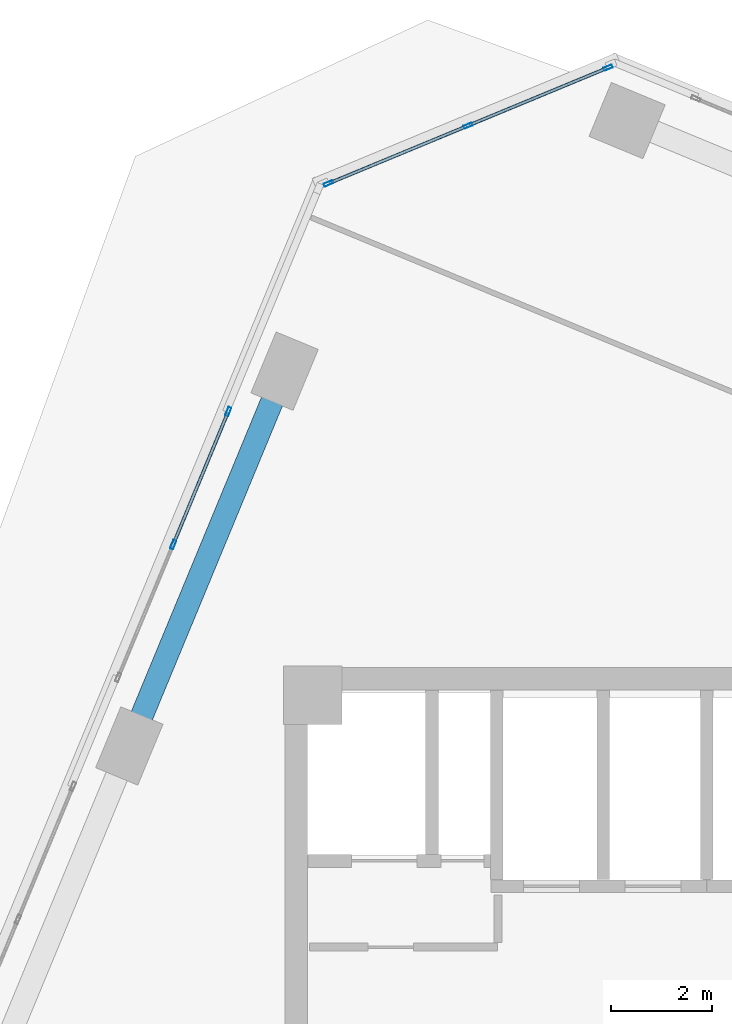
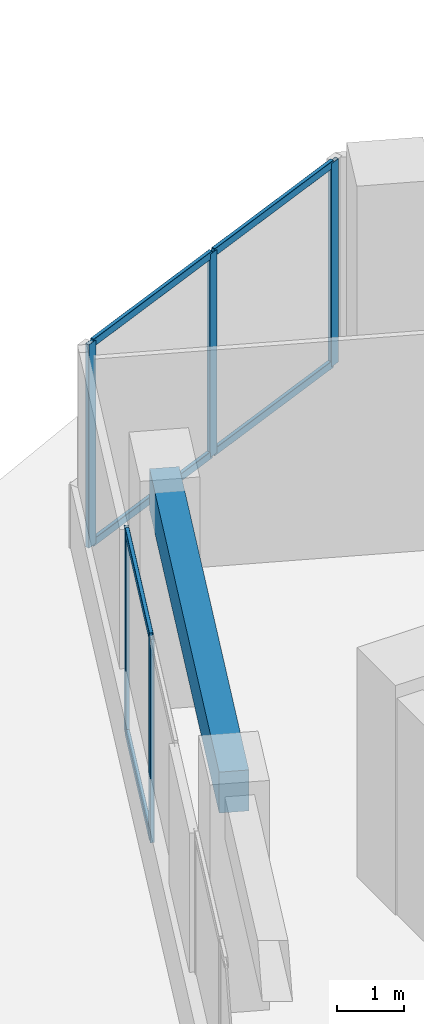
# One storey, part 13 of 24: 11 members, 1 beam, 2 elements without a shape of their own.
"""IFC4 building model written with IfcOpenShell, lengths in metres."""

from ifc_helpers import new_model, si_unit, direction, frame, origin, origin_2d, place, context, subcontext, project, spatial, rectangle, hollow_rectangle, extrude, source, transform, mapped, material, material_profile, profile_set, type_object, element, aggregate, save


model = new_model("IFC4")

# Units and contexts
model_context = context("Model", 3, precision=1e-05, world=origin(), true_north=direction((0.0, 1.0)))
body_context = subcontext(model_context, "Body", "Model", "MODEL_VIEW")
ifc_project = project(units=[si_unit("LENGTHUNIT", "METRE"), si_unit("AREAUNIT", "SQUARE_METRE"), si_unit("VOLUMEUNIT", "CUBIC_METRE"), si_unit("PLANEANGLEUNIT", "RADIAN"), si_unit("MASSUNIT", "GRAM", prefix="KILO")], contexts=[model_context])

# Site, building, storey
site_placement = place(None, origin())
site = spatial("IfcSite", under=ifc_project, at=site_placement, CompositionType="ELEMENT")
building_placement = place(site_placement, origin())
building = spatial("IfcBuilding", under=site, at=building_placement, Name="Torre Montelarca", CompositionType="ELEMENT")
storey_placement = place(building_placement, frame((0.0, 0.0, 141.39990234375)))
storey = spatial("IfcBuildingStorey", under=building, at=storey_placement, Name="L31", CompositionType="ELEMENT", Elevation=141.39990234375)

# Beam
ifc_material_1 = material(Name="Concrete C55/67", Category="concrete")
ifc_material_profile_1 = material_profile(ifc_material_1, rectangle(XDim=0.449951171875, YDim=0.75, at=origin_2d()), Name="RCB450X750", Category="concrete")
ifc_profile_set_1 = profile_set([ifc_material_profile_1], Name="Concrete C55/67")
beam_type = type_object("IfcBeamType", Name="BM-SP-RC750-EXT", PredefinedType="SPANDREL", material=ifc_profile_set_1)
shared_shape_1 = source(origin(), body_context, "Body", "SweptSolid", [
    extrude(rectangle(XDim=0.449951171875, YDim=0.75, at=origin_2d()), origin(), (0.0, 0.0, 1.0), 8.0),
])
beam_placement = place(storey_placement, frame((5.9326171875, 38.4482421875, 3.585205078125), z_axis=(0.382686001036, 0.923878468529, 0.0), x_axis=(-0.923878468529, 0.382686001036, 0.0)))
element("IfcBeam", 1, at=beam_placement, inside=storey, type_object=beam_type, Name="L31 Grid Girder Y 32.0-40.0 at X=4.7", PredefinedType="SPANDREL", context=body_context, shape_type="MappedRepresentation", body=[
    mapped(shared_shape_1, transform((0.0, 0.0, 0.0), scale=1.0)),
])

# Curtain wall, members
ifc_material_2 = material(Name="Insulated low-E laminated glass", Category="glass")
curtain_wall_type = type_object("IfcCurtainWallType", Name="CW-SYS-Z2", PredefinedType="USERDEFINED", material=ifc_material_2)
curtain_wall_1_placement = place(storey_placement, origin())
curtain_wall_1 = element("IfcCurtainWall", 2, at=curtain_wall_1_placement, inside=storey, type_object=curtain_wall_type, Name="L31 Curtain Wall Run CW-T3-L31-E09-B1", ObjectType="UNITISED GLAZING", PredefinedType="USERDEFINED")
ifc_material_3 = material(Name="Anodised aluminium AA 6063-T6", Category="aluminium")
ifc_material_profile_2 = material_profile(ifc_material_3, hollow_rectangle(XDim=0.06494140625, YDim=0.139892578125, WallThickness=0.00390625, InnerFilletRadius=0.00390625, OuterFilletRadius=0.008056640625, at=origin_2d()), Name="ALU65X140X4", Category="aluminium")
ifc_profile_set_2 = profile_set([ifc_material_profile_2], Name="Anodised aluminium AA 6063-T6")
member_type_1 = type_object("IfcMemberType", Name="CWT-ALU140", PredefinedType="USERDEFINED", material=ifc_profile_set_2)
shared_shape_2 = source(origin(), body_context, "Body", "SweptSolid", [
    extrude(hollow_rectangle(XDim=0.06494140625, YDim=0.139892578125, WallThickness=0.00390625, InnerFilletRadius=0.00390625, OuterFilletRadius=0.008056640625, at=origin_2d()), origin(), (0.0, 0.0, 1.0), 2.918701171875),
])
member_1_placement = place(storey_placement, frame((15.3408203125, 51.809814453125, 0.03271484375), z_axis=(-0.92387920118, -0.382684232268, 0.0), x_axis=(0.382684232268, -0.92387920118, 0.0)))
member_1 = element("IfcMember", 3, at=member_1_placement, type_object=member_type_1, Name="CW transom 1.1", ObjectType="TRANSOM", PredefinedType="USERDEFINED", context=body_context, shape_type="MappedRepresentation", body=[
    mapped(shared_shape_2, transform((0.0, 0.0, 0.0), scale=1.0)),
])
member_2_placement = place(storey_placement, frame((15.3408203125, 51.809814453125, 3.6875), z_axis=(-0.92387920118, -0.382684232268, 0.0), x_axis=(0.382684232268, -0.92387920118, 0.0)))
member_2 = element("IfcMember", 4, at=member_2_placement, type_object=member_type_1, Name="CW transom 1.2", ObjectType="TRANSOM", PredefinedType="USERDEFINED", context=body_context, shape_type="MappedRepresentation", body=[
    mapped(shared_shape_2, transform((0.0, 0.0, 0.0), scale=1.0)),
])
member_3_placement = place(storey_placement, frame((12.584228515625, 50.66796875, 0.03271484375), z_axis=(-0.923908773038, -0.382612831859, 0.0), x_axis=(0.382612831859, -0.923908773038, 0.0)))
member_3 = element("IfcMember", 5, at=member_3_placement, type_object=member_type_1, Name="CW transom 2.1", ObjectType="TRANSOM", PredefinedType="USERDEFINED", context=body_context, shape_type="MappedRepresentation", body=[
    mapped(shared_shape_2, transform((0.0, 0.0, 0.0), scale=1.0)),
])
member_4_placement = place(storey_placement, frame((12.584228515625, 50.66796875, 3.6875), z_axis=(-0.923908773038, -0.382612831859, 0.0), x_axis=(0.382612831859, -0.923908773038, 0.0)))
member_4 = element("IfcMember", 6, at=member_4_placement, type_object=member_type_1, Name="CW transom 2.2", ObjectType="TRANSOM", PredefinedType="USERDEFINED", context=body_context, shape_type="MappedRepresentation", body=[
    mapped(shared_shape_2, transform((0.0, 0.0, 0.0), scale=1.0)),
])

curtain_wall_2_placement = place(storey_placement, origin())
curtain_wall_2 = element("IfcCurtainWall", 7, at=curtain_wall_2_placement, inside=storey, type_object=curtain_wall_type, Name="L31 Curtain Wall Run CW-T3-L31-E10-B1", ObjectType="UNITISED GLAZING", PredefinedType="USERDEFINED")
shared_shape_3 = source(origin(), body_context, "Body", "SweptSolid", [
    extrude(hollow_rectangle(XDim=0.06494140625, YDim=0.139892578125, WallThickness=0.00390625, InnerFilletRadius=0.00390625, OuterFilletRadius=0.008056640625, at=origin_2d()), origin(), (0.0, 0.0, 1.0), 2.7724609375),
])
member_5_placement = place(storey_placement, frame((7.87158203125, 45.0107421875, 0.03271484375), z_axis=(-0.382688791535, -0.923877312652, 0.0), x_axis=(0.923877312652, -0.382688791535, 0.0)))
member_5 = element("IfcMember", 8, at=member_5_placement, type_object=member_type_1, Name="CW transom 1.1", ObjectType="TRANSOM", PredefinedType="USERDEFINED", context=body_context, shape_type="MappedRepresentation", body=[
    mapped(shared_shape_3, transform((0.0, 0.0, 0.0), scale=1.0)),
])
member_6_placement = place(storey_placement, frame((7.87158203125, 45.0107421875, 3.6875), z_axis=(-0.382688791535, -0.923877312652, 0.0), x_axis=(0.923877312652, -0.382688791535, 0.0)))
member_6 = element("IfcMember", 9, at=member_6_placement, type_object=member_type_1, Name="CW transom 1.2", ObjectType="TRANSOM", PredefinedType="USERDEFINED", context=body_context, shape_type="MappedRepresentation", body=[
    mapped(shared_shape_3, transform((0.0, 0.0, 0.0), scale=1.0)),
])

# Member
ifc_material_profile_3 = material_profile(ifc_material_3, hollow_rectangle(XDim=0.06494140625, YDim=0.179931640625, WallThickness=0.00390625, InnerFilletRadius=0.00390625, OuterFilletRadius=0.008056640625, at=origin_2d()), Name="ALU65X180X4", Category="aluminium")
ifc_profile_set_3 = profile_set([ifc_material_profile_3], Name="Anodised aluminium AA 6063-T6")
member_type_2 = type_object("IfcMemberType", Name="CWM-ALU180", PredefinedType="MULLION", material=ifc_profile_set_3)
shared_shape_4 = source(origin(), body_context, "Body", "SweptSolid", [
    extrude(hollow_rectangle(XDim=0.06494140625, YDim=0.179931640625, WallThickness=0.00390625, InnerFilletRadius=0.00390625, OuterFilletRadius=0.008056640625, at=origin_2d()), origin(), (0.0, 0.0, 1.0), 3.72021484375),
])
member_7_placement = place(storey_placement, frame((15.370849609375, 51.822265625, 0.0), z_axis=(0.0, 0.0, 1.0), x_axis=(0.38267584742, -0.923882674262, 0.0)))
member_7 = element("IfcMember", 10, at=member_7_placement, type_object=member_type_2, Name="CW mullion 1", PredefinedType="MULLION", context=body_context, shape_type="MappedRepresentation", body=[
    mapped(shared_shape_4, transform((0.0, 0.0, 0.0), scale=1.0)),
])

member_8_placement = place(storey_placement, frame((12.6142578125, 50.680419921875, 0.0), z_axis=(0.0, 0.0, 1.0), x_axis=(0.38267584742, -0.923882674262, 0.0)))
member_8 = element("IfcMember", 11, at=member_8_placement, type_object=member_type_2, Name="CW mullion 2", PredefinedType="MULLION", context=body_context, shape_type="MappedRepresentation", body=[
    mapped(shared_shape_4, transform((0.0, 0.0, 0.0), scale=1.0)),
])

member_9_placement = place(storey_placement, frame((9.857666015625, 49.538818359375, 0.0), z_axis=(0.0, 0.0, 1.0), x_axis=(0.38267584742, -0.923882674262, 0.0)))
member_9 = element("IfcMember", 12, at=member_9_placement, type_object=member_type_2, Name="CW mullion 3", PredefinedType="MULLION", context=body_context, shape_type="MappedRepresentation", body=[
    mapped(shared_shape_4, transform((0.0, 0.0, 0.0), scale=1.0)),
])

aggregate(curtain_wall_1, [member_7, member_8, member_9, member_1, member_2, member_3, member_4])

member_10_placement = place(storey_placement, frame((7.884033203125, 45.040771484375, 0.0), z_axis=(0.0, 0.0, 1.0), x_axis=(0.923880514481, -0.382681061672, 0.0)))
member_10 = element("IfcMember", 13, at=member_10_placement, type_object=member_type_2, Name="CW mullion 1", PredefinedType="MULLION", context=body_context, shape_type="MappedRepresentation", body=[
    mapped(shared_shape_4, transform((0.0, 0.0, 0.0), scale=1.0)),
])

member_11_placement = place(storey_placement, frame((6.798095703125, 42.419189453125, 0.0), z_axis=(0.0, 0.0, 1.0), x_axis=(0.923880514481, -0.382681061672, 0.0)))
member_11 = element("IfcMember", 14, at=member_11_placement, type_object=member_type_2, Name="CW mullion 2", PredefinedType="MULLION", context=body_context, shape_type="MappedRepresentation", body=[
    mapped(shared_shape_4, transform((0.0, 0.0, 0.0), scale=1.0)),
])

aggregate(curtain_wall_2, [member_10, member_11, member_5, member_6])

save(model, "model.ifc")
